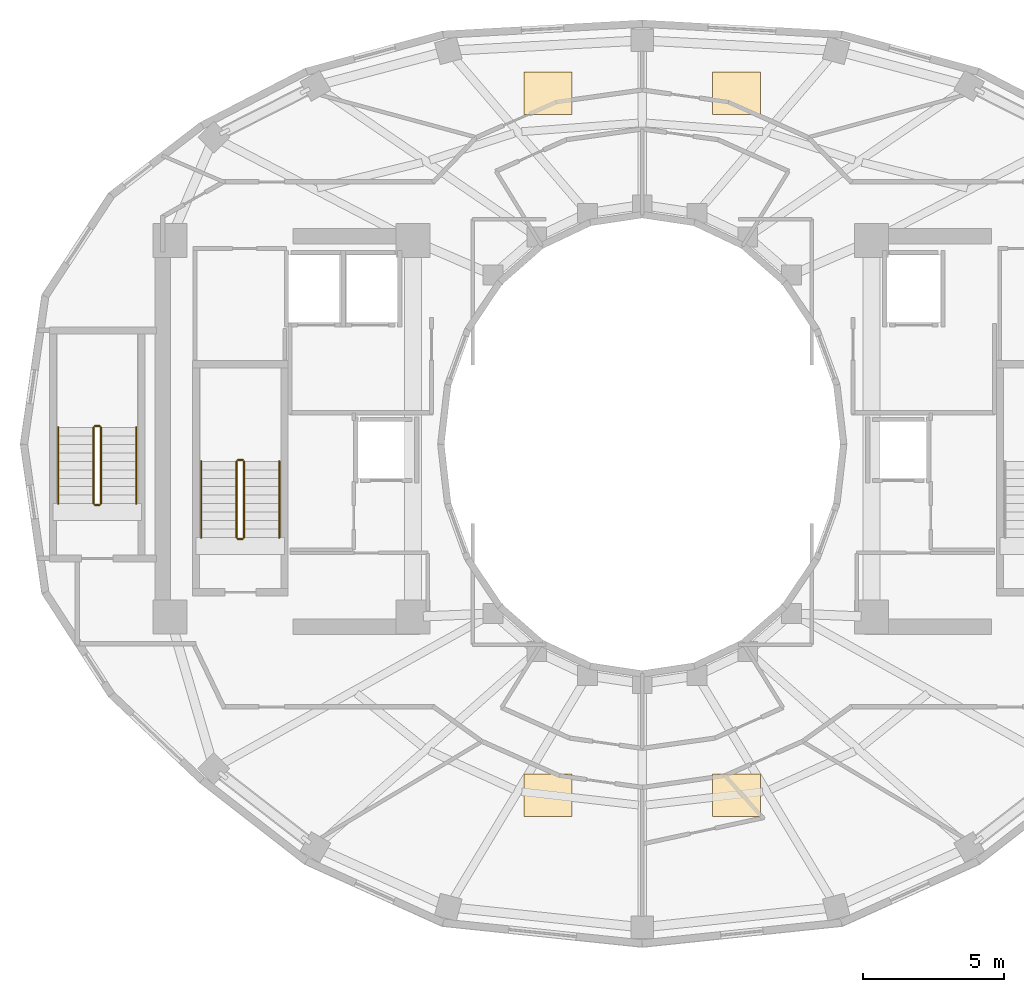
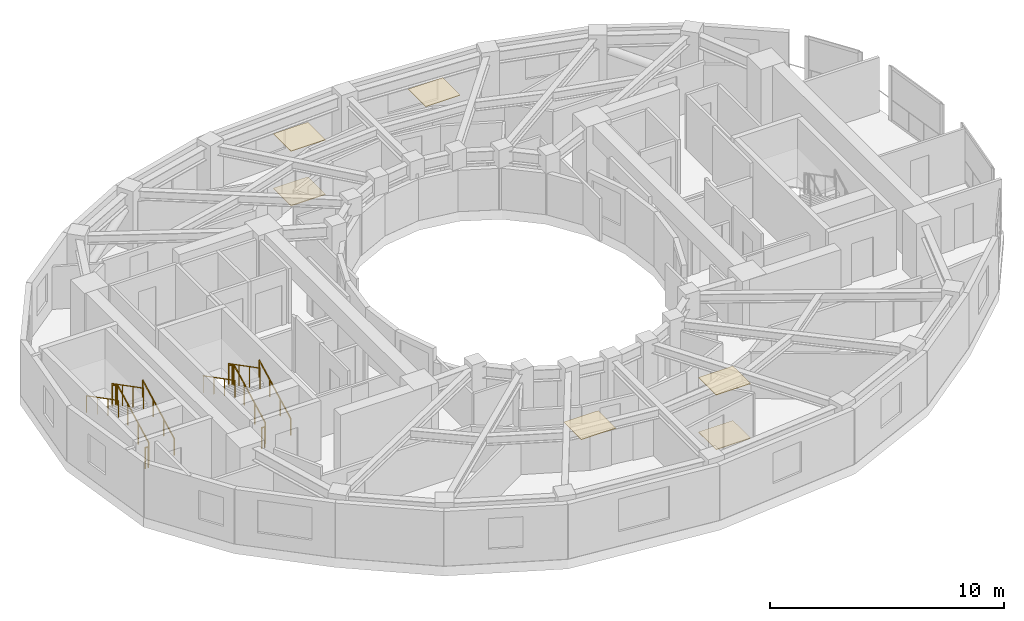
# One storey, part 11 of 12: 12 railings, 6 coverings.
"""IFC4 building model written with IfcOpenShell, lengths in metres."""

import ifcopenshell
import ifcopenshell.guid

model = None  # the IFC model being written
_history = None  # IfcOwnerHistory: only IFC2X3 demands one
_inside = {}  # id of a spatial element -> (the spatial element, [elements in it])
_under = {}  # id of a project, library or spatial element -> (it, [spatial elements below it])
_declared = {}  # id of a project -> (the project, [libraries it declares])
_typed = {}  # id of a type object -> (the type object, [elements of that type])
_made_of = {}  # id of a material, layer set ... -> (it, [elements and type objects made of it])


def new_model(schema):
    """Start an empty IFC model of exactly this schema.

    Asked for "IFC4X3", IfcOpenShell would pick the latest addendum, in which some entities
    have other attributes; the version numbers below select the first issue.
    IFC2X3 requires an IfcOwnerHistory on every rooted entity: one is made here for all.
    """
    global model, _history
    if schema == "IFC4X3":
        model = ifcopenshell.file(schema_version=(4, 3, 0, 0))
    else:
        model = ifcopenshell.file(schema=schema)
    _inside.clear()
    _under.clear()
    _declared.clear()
    _typed.clear()
    _made_of.clear()
    _history = None
    if model.schema == "IFC2X3":
        org = make("IfcOrganization", Name="unknown")
        user = make(
            "IfcPersonAndOrganization",
            ThePerson=make("IfcPerson", FamilyName="unknown"),
            TheOrganization=org,
        )
        app = make(
            "IfcApplication",
            ApplicationDeveloper=org,
            Version="unknown",
            ApplicationFullName="unknown",
            ApplicationIdentifier="unknown",
        )
        _history = make(
            "IfcOwnerHistory",
            OwningUser=user,
            OwningApplication=app,
            ChangeAction="ADDED",
            CreationDate=0,
        )
    return model


def make(cls, **values):
    """One entity of the class cls with the attributes given. An attribute that is None is left unset."""
    return model.create_entity(
        cls, **{name: value for name, value in values.items() if value is not None}
    )


def rooted(cls, **values):
    """An entity with a GlobalId (a new one), such as an element, a storey or a relation."""
    return make(cls, GlobalId=ifcopenshell.guid.new(), OwnerHistory=_history, **values)


def si_unit(unit_type, name, prefix=None):
    """IfcSIUnit, for example si_unit("LENGTHUNIT", "METRE", prefix="MILLI")."""
    return make("IfcSIUnit", UnitType=unit_type, Prefix=prefix, Name=name)


def assignment(units):
    """IfcUnitAssignment: the units of a project."""
    return None if units is None else make("IfcUnitAssignment", Units=units)


def point(xyz):
    """IfcCartesianPoint."""
    return None if xyz is None else make("IfcCartesianPoint", Coordinates=xyz)


def direction(xyz):
    """IfcDirection."""
    return None if xyz is None else make("IfcDirection", DirectionRatios=xyz)


def frame(location, z_axis=None, x_axis=None):
    """IfcAxis2Placement3D, a coordinate frame: its origin and axes. An axis left out is left unset."""
    return make(
        "IfcAxis2Placement3D",
        Location=point(location),
        Axis=direction(z_axis),
        RefDirection=direction(x_axis),
    )


def frame_2d(location, x_axis=None):
    """IfcAxis2Placement2D, a coordinate frame in the plane: its origin and x axis."""
    return make(
        "IfcAxis2Placement2D", Location=point(location), RefDirection=direction(x_axis)
    )


def origin():
    """The frame at (0, 0, 0) with its axes left unset."""
    return frame((0.0, 0.0, 0.0))


def origin_2d():
    """The frame at (0, 0) in the plane with its x axis left unset."""
    return frame_2d((0.0, 0.0))


def place(relative_to, where):
    """IfcLocalPlacement: puts the frame where relative to a parent placement (None: the world)."""
    return make(
        "IfcLocalPlacement", PlacementRelTo=relative_to, RelativePlacement=where
    )


def context(
    kind, dimensions, precision=None, world=None, true_north=None, identifier=None
):
    """IfcGeometricRepresentationContext, for example the 3D "Model" context."""
    return make(
        "IfcGeometricRepresentationContext",
        ContextIdentifier=identifier,
        ContextType=kind,
        CoordinateSpaceDimension=dimensions,
        Precision=precision,
        WorldCoordinateSystem=world,
        TrueNorth=true_north,
    )


def subcontext(parent, identifier, kind, view, scale=None):
    """IfcGeometricRepresentationSubContext, for example "Body" below "Model"."""
    return make(
        "IfcGeometricRepresentationSubContext",
        ContextIdentifier=identifier,
        ContextType=kind,
        ParentContext=parent,
        TargetScale=scale,
        TargetView=view,
    )


def project(units=None, contexts=None):
    """IfcProject with its units and contexts."""
    return rooted(
        "IfcProject",
        Name="project",
        RepresentationContexts=contexts,
        UnitsInContext=assignment(units),
    )


def spatial(cls, under=None, at=None, **own):
    """A site, building, storey or space (cls), placed at a placement, below another one or the project."""
    s = rooted(cls, ObjectPlacement=at, **own)
    if under is not None:
        _under.setdefault(under.id(), (under, []))[1].append(s)
    return s


def polyline(points):
    """IfcPolyline through the points."""
    return make("IfcPolyline", Points=[point(p) for p in points])


def profile(cls, at=None, kind="AREA", **sizes):
    """A parametric profile (cls). Its sizes go by their IFC names, for example OverallWidth=200.0."""
    return make(cls, ProfileType=kind, Position=at, **sizes)


def circle(**sizes):
    """IfcCircleProfileDef."""
    return profile("IfcCircleProfileDef", **sizes)


def outline(outer, holes=None, kind="AREA"):
    """IfcArbitraryClosedProfileDef: a profile drawn as a closed curve; with holes, ...WithVoids."""
    if holes is None:
        return make("IfcArbitraryClosedProfileDef", ProfileType=kind, OuterCurve=outer)
    return make(
        "IfcArbitraryProfileDefWithVoids",
        ProfileType=kind,
        OuterCurve=outer,
        InnerCurves=holes,
    )


def extrude(swept, where, along, depth):
    """IfcExtrudedAreaSolid: the profile swept, set in the frame where, extruded along a direction by depth."""
    return make(
        "IfcExtrudedAreaSolid",
        SweptArea=swept,
        Position=where,
        ExtrudedDirection=direction(along),
        Depth=depth,
    )


def shape(context_of_items, identifier, shape_type, items):
    """IfcShapeRepresentation: the items that make up one representation, for example the "Body"."""
    return make(
        "IfcShapeRepresentation",
        ContextOfItems=context_of_items,
        RepresentationIdentifier=identifier,
        RepresentationType=shape_type,
        Items=items,
    )


def material(Name=None, Category=None):
    """IfcMaterial."""
    return make("IfcMaterial", Name=Name, Category=Category)


def layer(
    of_material, thickness, ventilated=None, Name=None, Category=None, Priority=None
):
    """IfcMaterialLayer: one layer of a wall or slab, of a material (None: an air gap)."""
    return make(
        "IfcMaterialLayer",
        Material=of_material,
        LayerThickness=thickness,
        IsVentilated=ventilated,
        Name=Name,
        Category=Category,
        Priority=Priority,
    )


def layer_set(layers, Name=None):
    """IfcMaterialLayerSet."""
    return make("IfcMaterialLayerSet", MaterialLayers=layers, LayerSetName=Name)


def made_of(thing, what):
    """Note that an element or type object is made of a material, layer set ...; save() writes the relation."""
    if what is not None:
        _made_of.setdefault(what.id(), (what, []))[1].append(thing)
    return thing


def type_object(cls, material=None, **own):
    """A type object (cls), such as IfcWallType, which elements share."""
    return made_of(rooted(cls, **own), material)


def element(
    cls,
    number,
    at=None,
    inside=None,
    cuts=None,
    type_object=None,
    material=None,
    context=None,
    identifier="Body",
    shape_type=None,
    held_by="IfcProductDefinitionShape",
    body=None,
    shapes=None,
    **own,
):
    """One element of the class cls, such as IfcWall. Its Tag is "e" and its number.

    at: its placement. inside: the storey or other place that contains it. cuts: it is an
    opening in that element (IfcRelVoidsElement). A single representation is given by context,
    identifier, shape_type and body (its items); several are given by shapes. held_by: the class
    of the entity that holds the representations. save() writes the other relations.
    """
    e = rooted(cls, Tag="e%d" % number, ObjectPlacement=at, **own)
    if body is not None:
        shapes = [shape(context, identifier, shape_type, body)]
    if shapes is not None:
        e.Representation = make(held_by, Representations=shapes)
    if inside is not None:
        _inside.setdefault(inside.id(), (inside, []))[1].append(e)
    if cuts is not None:
        rooted(
            "IfcRelVoidsElement", RelatingBuildingElement=cuts, RelatedOpeningElement=e
        )
    if type_object is not None:
        _typed.setdefault(type_object.id(), (type_object, []))[1].append(e)
    return made_of(e, material)


def aggregate(whole, parts):
    """IfcRelAggregates: a whole, such as a stair, and the parts it consists of."""
    return rooted("IfcRelAggregates", RelatingObject=whole, RelatedObjects=parts)


def save(model, path):
    """Write the relations noted so far, then the file.

    IfcRelAggregates (storeys below a building ...), IfcRelContainedInSpatialStructure (elements
    in a storey), IfcRelDefinesByType, IfcRelAssociatesMaterial and IfcRelDeclares: one each for
    every whole, place, type object, material and project.
    """
    for whole, parts in _under.values():
        aggregate(whole, parts)
    for where, things in _inside.values():
        rooted(
            "IfcRelContainedInSpatialStructure",
            RelatedElements=things,
            RelatingStructure=where,
        )
    for kind, things in _typed.values():
        rooted("IfcRelDefinesByType", RelatedObjects=things, RelatingType=kind)
    for what, things in _made_of.values():
        rooted("IfcRelAssociatesMaterial", RelatedObjects=things, RelatingMaterial=what)
    for by, libraries in _declared.values():
        rooted("IfcRelDeclares", RelatingContext=by, RelatedDefinitions=libraries)
    model.write(path)


model = new_model("IFC4")

# Units and contexts
model_context = context("Model", 3, precision=1e-05, world=origin(), true_north=direction((0.0, 1.0)))
body_context = subcontext(model_context, "Body", "Model", "MODEL_VIEW")
ifc_project = project(units=[si_unit("LENGTHUNIT", "METRE"), si_unit("AREAUNIT", "SQUARE_METRE"), si_unit("VOLUMEUNIT", "CUBIC_METRE"), si_unit("PLANEANGLEUNIT", "RADIAN"), si_unit("MASSUNIT", "GRAM", prefix="KILO")], contexts=[model_context])

# Site, building, storey
site_placement = place(None, origin())
site = spatial("IfcSite", under=ifc_project, at=site_placement, CompositionType="ELEMENT")
building_placement = place(site_placement, origin())
building = spatial("IfcBuilding", under=site, at=building_placement, Name="Solvane Sanctuary Tower", CompositionType="ELEMENT")
storey_placement = place(building_placement, frame((0.0, 0.0, 210.89990234375)))
storey = spatial("IfcBuildingStorey", under=building, at=storey_placement, Name="L64", CompositionType="ELEMENT", Elevation=210.89990234375)

# Coverings
ifc_material_1 = material(Name="Acoustic Gypsum Partition Board")
ifc_layer_1 = layer(ifc_material_1, 0.02490234375, Name="Acoustic Gypsum Partition Board")
ifc_layer_set_1 = layer_set([ifc_layer_1], Name="Acoustic Gypsum Partition Board")
covering_type_1 = type_object("IfcCoveringType", Name="Covering CLG-ACOUST", PredefinedType="CEILING", material=ifc_layer_set_1)
covering_1_placement = place(storey_placement, frame((0.0, 0.0, 2.85009765625)))
element("IfcCovering", 1, at=covering_1_placement, inside=storey, type_object=covering_type_1, Name="L64 Unit Acoustic Ceiling Panel 1", PredefinedType="CEILING", context=body_context, shape_type="SweptSolid", body=[
    extrude(outline(polyline([(34.47607421875, 34.662109375), (36.176025390625, 34.662109375), (36.176025390625, 36.162109375), (34.47607421875, 36.162109375), (34.47607421875, 34.662109375)])), origin(), (0.0, 0.0, 1.0), 0.030029296875),
])
covering_2_placement = place(storey_placement, frame((0.0, 0.0, 2.85009765625)))
element("IfcCovering", 2, at=covering_2_placement, inside=storey, type_object=covering_type_1, Name="L64 Unit Acoustic Ceiling Panel 2", PredefinedType="CEILING", context=body_context, shape_type="SweptSolid", body=[
    extrude(outline(polyline([(27.823974609375, 34.662109375), (29.52392578125, 34.662109375), (29.52392578125, 36.162109375), (27.823974609375, 36.162109375), (27.823974609375, 34.662109375)])), origin(), (0.0, 0.0, 1.0), 0.030029296875),
])
covering_3_placement = place(storey_placement, frame((0.0, 0.0, 2.85009765625)))
element("IfcCovering", 3, at=covering_3_placement, inside=storey, type_object=covering_type_1, Name="L64 Unit Acoustic Ceiling Panel 3", PredefinedType="CEILING", context=body_context, shape_type="SweptSolid", body=[
    extrude(outline(polyline([(27.823974609375, 9.837890625), (29.52392578125, 9.837890625), (29.52392578125, 11.337890625), (27.823974609375, 11.337890625), (27.823974609375, 9.837890625)])), origin(), (0.0, 0.0, 1.0), 0.030029296875),
])
covering_4_placement = place(storey_placement, frame((0.0, 0.0, 2.85009765625)))
element("IfcCovering", 4, at=covering_4_placement, inside=storey, type_object=covering_type_1, Name="L64 Unit Acoustic Ceiling Panel 4", PredefinedType="CEILING", context=body_context, shape_type="SweptSolid", body=[
    extrude(outline(polyline([(34.47607421875, 9.837890625), (36.176025390625, 9.837890625), (36.176025390625, 11.337890625), (34.47607421875, 11.337890625), (34.47607421875, 9.837890625)])), origin(), (0.0, 0.0, 1.0), 0.030029296875),
])
ifc_material_2 = material(Name="Ceramic Tile Finish")
ifc_layer_2 = layer(ifc_material_2, 0.030029296875, Name="Ceramic Tile Finish")
ifc_layer_set_2 = layer_set([ifc_layer_2], Name="Ceramic Tile Finish")
covering_type_2 = type_object("IfcCoveringType", Name="Covering FLR-TERRAZZO", PredefinedType="FLOORING", material=ifc_layer_set_2)
covering_5_placement = place(storey_placement, origin())
element("IfcCovering", 5, at=covering_5_placement, inside=storey, type_object=covering_type_2, Name="L64 Unit Terrazzo Inlay 2", PredefinedType="FLOORING", context=body_context, shape_type="SweptSolid", body=[
    extrude(outline(polyline([(27.823974609375, 34.662109375), (29.52392578125, 34.662109375), (29.52392578125, 36.162109375), (27.823974609375, 36.162109375), (27.823974609375, 34.662109375)])), origin(), (0.0, 0.0, 1.0), 0.03515625),
])
covering_6_placement = place(storey_placement, origin())
element("IfcCovering", 6, at=covering_6_placement, inside=storey, type_object=covering_type_2, Name="L64 Unit Terrazzo Inlay 4", PredefinedType="FLOORING", context=body_context, shape_type="SweptSolid", body=[
    extrude(outline(polyline([(34.47607421875, 9.837890625), (36.176025390625, 9.837890625), (36.176025390625, 11.337890625), (34.47607421875, 11.337890625), (34.47607421875, 9.837890625)])), origin(), (0.0, 0.0, 1.0), 0.03515625),
])

# Railings
ifc_material_3 = material(Name="Architectural Stainless Steel 316", Category="steel")
railing_type_1 = type_object("IfcRailingType", Name="Railing GR-BALC-1150", PredefinedType="BALUSTRADE", material=ifc_material_3)
railing_1_placement = place(storey_placement, frame((17.919921875, 19.699951171875, 0.155029296875)))
element("IfcRailing", 7, at=railing_1_placement, inside=storey, type_object=railing_type_1, Name="L64 ST-1 stair guard 1", PredefinedType="BALUSTRADE", context=body_context, shape_type="SweptSolid", body=[
    extrude(circle(Radius=0.02392578125, at=origin_2d()), frame((0.0, 0.0, 1.076171875), z_axis=(0.0, 0.888419900624, 0.459031676658), x_axis=(-1.0, 0.0, 0.0)), (0.0, 0.0, 1.0), 3.0390625),
    extrude(circle(Radius=0.02099609375, at=origin_2d()), origin(), (0.0, 0.0, 1.0), 1.052001953125),
    extrude(circle(Radius=0.02099609375, at=origin_2d()), frame((0.0, 0.89990234375, 0.465087890625)), (0.0, 0.0, 1.0), 1.052001953125),
    extrude(circle(Radius=0.02099609375, at=origin_2d()), frame((0.0, 1.800048828125, 0.929931640625)), (0.0, 0.0, 1.0), 1.052001953125),
    extrude(circle(Radius=0.02099609375, at=origin_2d()), frame((0.0, 2.699951171875, 1.39501953125)), (0.0, 0.0, 1.0), 1.052001953125),
])
railing_2_placement = place(storey_placement, frame((17.8701171875, 22.449951171875, 1.550048828125)))
element("IfcRailing", 8, at=railing_2_placement, inside=storey, type_object=railing_type_1, Name="L64 ST-1 stair guard 2", PredefinedType="BALUSTRADE", context=body_context, shape_type="SweptSolid", body=[
    extrude(circle(Radius=0.02392578125, at=origin_2d()), frame((0.0, 0.0, 1.076171875), z_axis=(-1.0, 0.0, 0.0), x_axis=(0.0, -1.0, 0.0)), (0.0, 0.0, 1.0), 0.16015625),
    extrude(circle(Radius=0.02099609375, at=origin_2d()), origin(), (0.0, 0.0, 1.0), 1.052001953125),
    extrude(circle(Radius=0.02099609375, at=origin_2d()), frame((-0.16015625, 0.0, 0.0)), (0.0, 0.0, 1.0), 1.052001953125),
])
railing_3_placement = place(storey_placement, frame((17.659912109375, 22.39990234375, 1.705078125)))
element("IfcRailing", 9, at=railing_3_placement, inside=storey, type_object=railing_type_1, Name="L64 ST-1 stair guard 3", PredefinedType="BALUSTRADE", context=body_context, shape_type="SweptSolid", body=[
    extrude(circle(Radius=0.02392578125, at=origin_2d()), frame((0.0, 0.0, 1.076171875), z_axis=(0.0, -0.888419900624, 0.459031676658), x_axis=(1.0, 0.0, 0.0)), (0.0, 0.0, 1.0), 3.0390625),
    extrude(circle(Radius=0.02099609375, at=origin_2d()), origin(), (0.0, 0.0, 1.0), 1.052001953125),
    extrude(circle(Radius=0.02099609375, at=origin_2d()), frame((0.0, -0.89990234375, 0.465087890625)), (0.0, 0.0, 1.0), 1.052001953125),
    extrude(circle(Radius=0.02099609375, at=origin_2d()), frame((0.0, -1.800048828125, 0.929931640625)), (0.0, 0.0, 1.0), 1.052001953125),
    extrude(circle(Radius=0.02099609375, at=origin_2d()), frame((0.0, -2.699951171875, 1.39501953125)), (0.0, 0.0, 1.0), 1.052001953125),
])
railing_4_placement = place(storey_placement, frame((17.8701171875, 19.64990234375, 0.0)))
element("IfcRailing", 10, at=railing_4_placement, inside=storey, type_object=railing_type_1, Name="L64 ST-1 stair guard 4", PredefinedType="BALUSTRADE", context=body_context, shape_type="SweptSolid", body=[
    extrude(circle(Radius=0.02392578125, at=origin_2d()), frame((0.0, 0.0, 1.076171875), z_axis=(-1.0, 0.0, 0.0), x_axis=(0.0, -1.0, 0.0)), (0.0, 0.0, 1.0), 0.16015625),
    extrude(circle(Radius=0.02099609375, at=origin_2d()), origin(), (0.0, 0.0, 1.0), 1.052001953125),
    extrude(circle(Radius=0.02099609375, at=origin_2d()), frame((-0.16015625, 0.0, 0.0)), (0.0, 0.0, 1.0), 1.052001953125),
])
railing_5_placement = place(storey_placement, frame((12.860107421875, 20.89990234375, 0.155029296875)))
element("IfcRailing", 11, at=railing_5_placement, inside=storey, type_object=railing_type_1, Name="L64 ST-3 stair guard 1", PredefinedType="BALUSTRADE", context=body_context, shape_type="SweptSolid", body=[
    extrude(circle(Radius=0.02392578125, at=origin_2d()), frame((0.0, 0.0, 1.076171875), z_axis=(0.0, 0.888436826113, 0.458998917216), x_axis=(-1.0, 0.0, 0.0)), (0.0, 0.0, 1.0), 3.039306640625),
    extrude(circle(Radius=0.02099609375, at=origin_2d()), origin(), (0.0, 0.0, 1.0), 1.052001953125),
    extrude(circle(Radius=0.02099609375, at=origin_2d()), frame((0.0, 0.900146484375, 0.465087890625)), (0.0, 0.0, 1.0), 1.052001953125),
    extrude(circle(Radius=0.02099609375, at=origin_2d()), frame((0.0, 1.800048828125, 0.929931640625)), (0.0, 0.0, 1.0), 1.052001953125),
    extrude(circle(Radius=0.02099609375, at=origin_2d()), frame((0.0, 2.7001953125, 1.39501953125)), (0.0, 0.0, 1.0), 1.052001953125),
])
railing_6_placement = place(storey_placement, frame((12.81005859375, 23.64990234375, 1.550048828125)))
element("IfcRailing", 12, at=railing_6_placement, inside=storey, type_object=railing_type_1, Name="L64 ST-3 stair guard 2", PredefinedType="BALUSTRADE", context=body_context, shape_type="SweptSolid", body=[
    extrude(circle(Radius=0.02392578125, at=origin_2d()), frame((0.0, 0.0, 1.076171875), z_axis=(-1.0, 0.0, 0.0), x_axis=(0.0, -1.0, 0.0)), (0.0, 0.0, 1.0), 0.16015625),
    extrude(circle(Radius=0.02099609375, at=origin_2d()), origin(), (0.0, 0.0, 1.0), 1.052001953125),
    extrude(circle(Radius=0.02099609375, at=origin_2d()), frame((-0.16015625, 0.0, 0.0)), (0.0, 0.0, 1.0), 1.052001953125),
])
railing_7_placement = place(storey_placement, frame((12.60009765625, 23.60009765625, 1.705078125)))
element("IfcRailing", 13, at=railing_7_placement, inside=storey, type_object=railing_type_1, Name="L64 ST-3 stair guard 3", PredefinedType="BALUSTRADE", context=body_context, shape_type="SweptSolid", body=[
    extrude(circle(Radius=0.02392578125, at=origin_2d()), frame((0.0, 0.0, 1.076171875), z_axis=(0.0, -0.888436826113, 0.458998917216), x_axis=(1.0, 0.0, 0.0)), (0.0, 0.0, 1.0), 3.039306640625),
    extrude(circle(Radius=0.02099609375, at=origin_2d()), origin(), (0.0, 0.0, 1.0), 1.052001953125),
    extrude(circle(Radius=0.02099609375, at=origin_2d()), frame((0.0, -0.900146484375, 0.465087890625)), (0.0, 0.0, 1.0), 1.052001953125),
    extrude(circle(Radius=0.02099609375, at=origin_2d()), frame((0.0, -1.800048828125, 0.929931640625)), (0.0, 0.0, 1.0), 1.052001953125),
    extrude(circle(Radius=0.02099609375, at=origin_2d()), frame((0.0, -2.7001953125, 1.39501953125)), (0.0, 0.0, 1.0), 1.052001953125),
])
railing_8_placement = place(storey_placement, frame((12.81005859375, 20.85009765625, 0.0)))
element("IfcRailing", 14, at=railing_8_placement, inside=storey, type_object=railing_type_1, Name="L64 ST-3 stair guard 4", PredefinedType="BALUSTRADE", context=body_context, shape_type="SweptSolid", body=[
    extrude(circle(Radius=0.02392578125, at=origin_2d()), frame((0.0, 0.0, 1.076171875), z_axis=(-1.0, 0.0, 0.0), x_axis=(0.0, -1.0, 0.0)), (0.0, 0.0, 1.0), 0.16015625),
    extrude(circle(Radius=0.02099609375, at=origin_2d()), origin(), (0.0, 0.0, 1.0), 1.052001953125),
    extrude(circle(Radius=0.02099609375, at=origin_2d()), frame((-0.16015625, 0.0, 0.0)), (0.0, 0.0, 1.0), 1.052001953125),
])
railing_type_2 = type_object("IfcRailingType", Name="Railing HR-STAIR-920", PredefinedType="HANDRAIL", material=ifc_material_3)
railing_9_placement = place(storey_placement, frame((19.169921875, 19.699951171875, 0.155029296875)))
element("IfcRailing", 15, at=railing_9_placement, inside=storey, type_object=railing_type_2, Name="L64 ST-1 stair handrail 1", PredefinedType="HANDRAIL", context=body_context, shape_type="SweptSolid", body=[
    extrude(circle(Radius=0.02392578125, at=origin_2d()), frame((0.0, 0.0, 0.8759765625), z_axis=(0.0, 0.888419900624, 0.459031676658), x_axis=(-1.0, 0.0, 0.0)), (0.0, 0.0, 1.0), 3.0390625),
    extrude(circle(Radius=0.02099609375, at=origin_2d()), origin(), (0.0, 0.0, 1.0), 0.851806640625),
    extrude(circle(Radius=0.02099609375, at=origin_2d()), frame((0.0, 0.89990234375, 0.465087890625)), (0.0, 0.0, 1.0), 0.851806640625),
    extrude(circle(Radius=0.02099609375, at=origin_2d()), frame((0.0, 1.800048828125, 0.929931640625)), (0.0, 0.0, 1.0), 0.851806640625),
    extrude(circle(Radius=0.02099609375, at=origin_2d()), frame((0.0, 2.699951171875, 1.39501953125)), (0.0, 0.0, 1.0), 0.851806640625),
])
railing_10_placement = place(storey_placement, frame((16.409912109375, 22.39990234375, 1.705078125)))
element("IfcRailing", 16, at=railing_10_placement, inside=storey, type_object=railing_type_2, Name="L64 ST-1 stair handrail 2", PredefinedType="HANDRAIL", context=body_context, shape_type="SweptSolid", body=[
    extrude(circle(Radius=0.02392578125, at=origin_2d()), frame((0.0, 0.0, 0.8759765625), z_axis=(0.0, -0.888419900624, 0.459031676658), x_axis=(1.0, 0.0, 0.0)), (0.0, 0.0, 1.0), 3.0390625),
    extrude(circle(Radius=0.02099609375, at=origin_2d()), origin(), (0.0, 0.0, 1.0), 0.851806640625),
    extrude(circle(Radius=0.02099609375, at=origin_2d()), frame((0.0, -0.89990234375, 0.465087890625)), (0.0, 0.0, 1.0), 0.851806640625),
    extrude(circle(Radius=0.02099609375, at=origin_2d()), frame((0.0, -1.800048828125, 0.929931640625)), (0.0, 0.0, 1.0), 0.851806640625),
    extrude(circle(Radius=0.02099609375, at=origin_2d()), frame((0.0, -2.699951171875, 1.39501953125)), (0.0, 0.0, 1.0), 0.851806640625),
])
railing_11_placement = place(storey_placement, frame((14.110107421875, 20.89990234375, 0.155029296875)))
element("IfcRailing", 17, at=railing_11_placement, inside=storey, type_object=railing_type_2, Name="L64 ST-3 stair handrail 1", PredefinedType="HANDRAIL", context=body_context, shape_type="SweptSolid", body=[
    extrude(circle(Radius=0.02392578125, at=origin_2d()), frame((0.0, 0.0, 0.8759765625), z_axis=(0.0, 0.888436826113, 0.458998917216), x_axis=(-1.0, 0.0, 0.0)), (0.0, 0.0, 1.0), 3.039306640625),
    extrude(circle(Radius=0.02099609375, at=origin_2d()), origin(), (0.0, 0.0, 1.0), 0.851806640625),
    extrude(circle(Radius=0.02099609375, at=origin_2d()), frame((0.0, 0.900146484375, 0.465087890625)), (0.0, 0.0, 1.0), 0.851806640625),
    extrude(circle(Radius=0.02099609375, at=origin_2d()), frame((0.0, 1.800048828125, 0.929931640625)), (0.0, 0.0, 1.0), 0.851806640625),
    extrude(circle(Radius=0.02099609375, at=origin_2d()), frame((0.0, 2.7001953125, 1.39501953125)), (0.0, 0.0, 1.0), 0.851806640625),
])
railing_12_placement = place(storey_placement, frame((11.35009765625, 23.60009765625, 1.705078125)))
element("IfcRailing", 18, at=railing_12_placement, inside=storey, type_object=railing_type_2, Name="L64 ST-3 stair handrail 2", PredefinedType="HANDRAIL", context=body_context, shape_type="SweptSolid", body=[
    extrude(circle(Radius=0.02392578125, at=origin_2d()), frame((0.0, 0.0, 0.8759765625), z_axis=(0.0, -0.888436826113, 0.458998917216), x_axis=(1.0, 0.0, 0.0)), (0.0, 0.0, 1.0), 3.039306640625),
    extrude(circle(Radius=0.02099609375, at=origin_2d()), origin(), (0.0, 0.0, 1.0), 0.851806640625),
    extrude(circle(Radius=0.02099609375, at=origin_2d()), frame((0.0, -0.900146484375, 0.465087890625)), (0.0, 0.0, 1.0), 0.851806640625),
    extrude(circle(Radius=0.02099609375, at=origin_2d()), frame((0.0, -1.800048828125, 0.929931640625)), (0.0, 0.0, 1.0), 0.851806640625),
    extrude(circle(Radius=0.02099609375, at=origin_2d()), frame((0.0, -2.7001953125, 1.39501953125)), (0.0, 0.0, 1.0), 0.851806640625),
])

save(model, "model.ifc")
